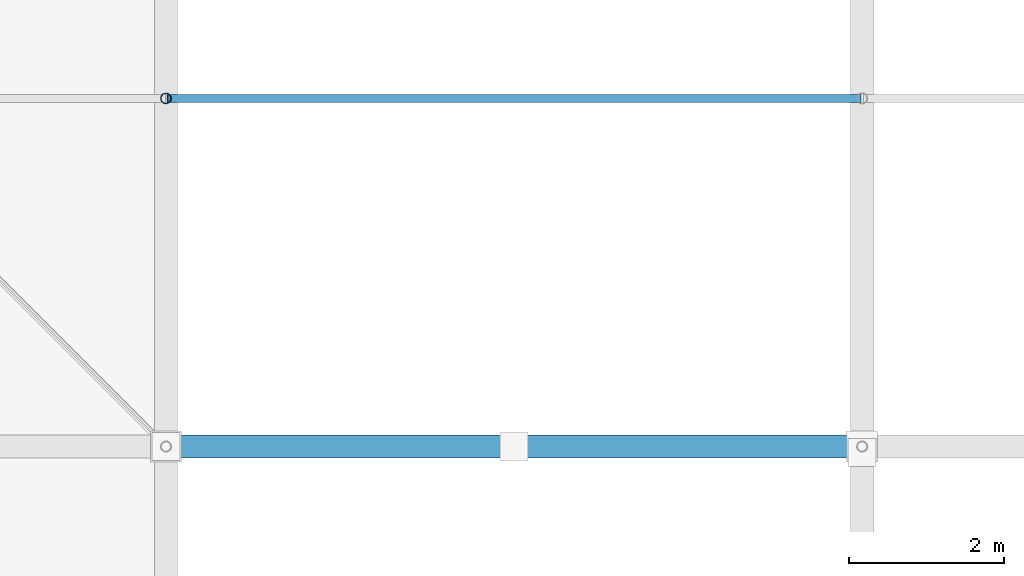
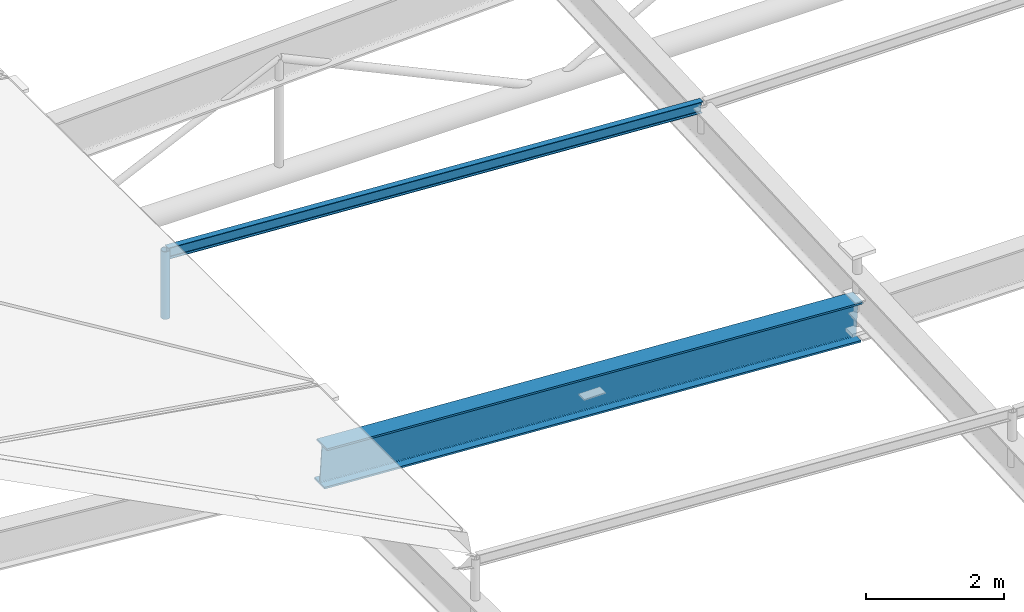
# One storey, part 11 of 80: 2 members, 1 beam.
"""IFC4 building model written with IfcOpenShell, lengths in metres."""

from ifc_helpers import new_model, si_unit, direction, frame, origin, origin_2d, place, context, subcontext, project, spatial, hollow_circle, i_section, extrude, material, material_profile, profile_set, type_object, element, save


model = new_model("IFC4")

# Units and contexts
model_context = context("Model", 3, precision=1e-05, world=origin(), true_north=direction((0.0, 1.0)))
body_context = subcontext(model_context, "Body", "Model", "MODEL_VIEW")
ifc_project = project(units=[si_unit("LENGTHUNIT", "METRE"), si_unit("AREAUNIT", "SQUARE_METRE"), si_unit("VOLUMEUNIT", "CUBIC_METRE"), si_unit("PLANEANGLEUNIT", "RADIAN"), si_unit("MASSUNIT", "GRAM", prefix="KILO")], contexts=[model_context])

# Site, building, storey
site_placement = place(None, origin())
site = spatial("IfcSite", under=ifc_project, at=site_placement, CompositionType="ELEMENT")
building_placement = place(site_placement, origin())
building = spatial("IfcBuilding", under=site, at=building_placement, Name="Barlavento Convention Centre", CompositionType="ELEMENT")
storey_placement = place(building_placement, frame((0.0, 0.0, 29.800048828125)))
storey = spatial("IfcBuildingStorey", under=building, at=storey_placement, Name="RF", CompositionType="ELEMENT", Elevation=29.800048828125)

# Beam
ifc_material_1 = material(Name="Steel S460", Category="steel")
ifc_material_profile_1 = material_profile(ifc_material_1, i_section(OverallWidth=0.300048828125, OverallDepth=0.699951171875, WebThickness=0.01708984375, FlangeThickness=0.031982421875, FilletRadius=0.027099609375, at=origin_2d()), Name="HEB 700")
ifc_profile_set_1 = profile_set([ifc_material_profile_1], Name="Steel S460")
beam_type = type_object("IfcBeamType", Name="STR-BM-TRUSS-TOP-HEB700", PredefinedType="BEAM", material=ifc_profile_set_1)
beam_placement = place(storey_placement, frame((18.0048828125, 9.0, -1.25634765625), z_axis=(0.998176275641, 0.0, -0.060366569787), x_axis=(0.0, 1.0, 0.0)))
element("IfcBeam", 1, at=beam_placement, inside=storey, type_object=beam_type, Name="Congress roof truss space frame chord", PredefinedType="BEAM", context=body_context, shape_type="SweptSolid", body=[
    extrude(i_section(OverallWidth=0.300048828125, OverallDepth=0.699951171875, WebThickness=0.01708984375, FlangeThickness=0.031982421875, FilletRadius=0.027099609375, at=origin_2d()), origin(), (0.0, 0.0, 1.0), 9.006591796875),
])

# Members
ifc_material_2 = material(Name="Steel S355", Category="steel")
ifc_material_profile_2 = material_profile(ifc_material_2, hollow_circle(Radius=0.06982421875, WallThickness=0.008056640625, at=origin_2d()), Name="CHS 139.7x8.0")
ifc_profile_set_2 = profile_set([ifc_material_profile_2], Name="Steel S355")
member_type_1 = type_object("IfcMemberType", Name="STR-MEM-DIAG-CHS139", PredefinedType="BRACE", material=ifc_profile_set_2)
member_1_placement = place(storey_placement, frame((18.0, 13.5, -1.37646484375), z_axis=(0.0, 0.0, 1.0), x_axis=(1.0, 0.0, 0.0)))
element("IfcMember", 2, at=member_1_placement, inside=storey, type_object=member_type_1, Name="Congress space frame vertical node post TD04", PredefinedType="BRACE", context=body_context, shape_type="SweptSolid", body=[
    extrude(hollow_circle(Radius=0.06982421875, WallThickness=0.008056640625, at=origin_2d()), origin(), (0.0, 0.0, 1.0), 1.19921875),
])
ifc_material_profile_3 = material_profile(ifc_material_2, i_section(OverallWidth=0.10009765625, OverallDepth=0.199951171875, WebThickness=0.005615234375, FlangeThickness=0.008544921875, FilletRadius=0.011962890625, at=origin_2d()), Name="IPE 200")
ifc_profile_set_3 = profile_set([ifc_material_profile_3], Name="Steel S355")
member_type_2 = type_object("IfcMemberType", Name="STR-MEM-PUR-IPE200", PredefinedType="PURLIN", material=ifc_profile_set_3)
member_2_placement = place(storey_placement, frame((18.02001953125, 13.5, -0.23779296875), z_axis=(0.998188548056, 0.0, -0.060163298864), x_axis=(0.0, 1.0, 0.0)))
element("IfcMember", 3, at=member_2_placement, inside=storey, type_object=member_type_2, Name="Congress roof intermediate purlin PR01", PredefinedType="PURLIN", context=body_context, shape_type="SweptSolid", body=[
    extrude(i_section(OverallWidth=0.10009765625, OverallDepth=0.199951171875, WebThickness=0.005615234375, FlangeThickness=0.008544921875, FilletRadius=0.011962890625, at=origin_2d()), origin(), (0.0, 0.0, 1.0), 8.976318359375),
])

save(model, "model.ifc")
